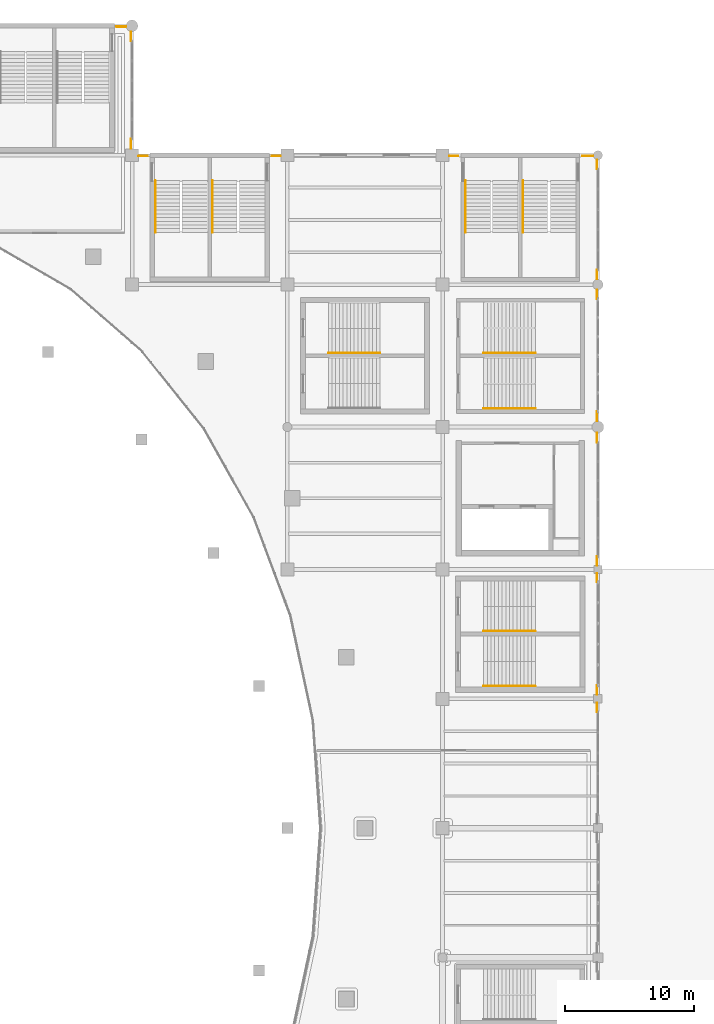
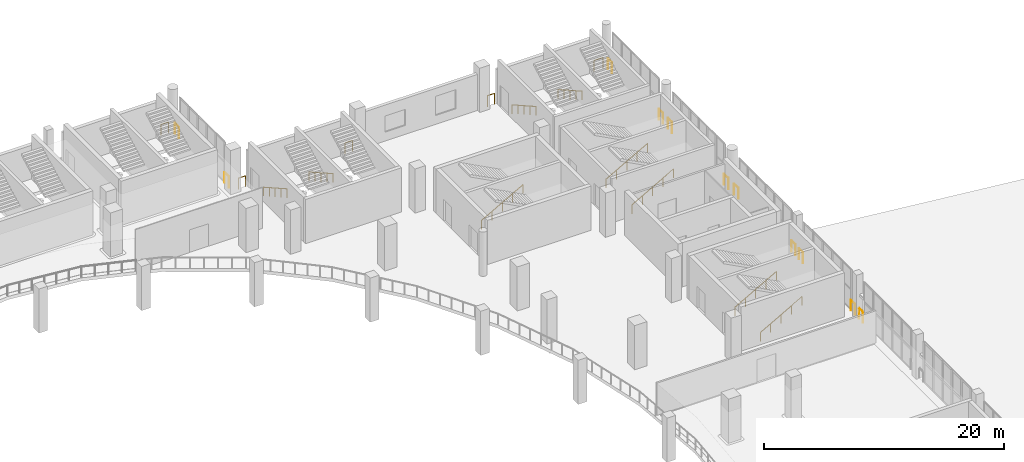
# One storey, part 108 of 108: 25 railings.
"""IFC4 building model written with IfcOpenShell, lengths in metres."""

import ifcopenshell
import ifcopenshell.guid

model = None  # the IFC model being written
_history = None  # IfcOwnerHistory: only IFC2X3 demands one
_inside = {}  # id of a spatial element -> (the spatial element, [elements in it])
_under = {}  # id of a project, library or spatial element -> (it, [spatial elements below it])
_declared = {}  # id of a project -> (the project, [libraries it declares])
_typed = {}  # id of a type object -> (the type object, [elements of that type])
_made_of = {}  # id of a material, layer set ... -> (it, [elements and type objects made of it])


def new_model(schema):
    """Start an empty IFC model of exactly this schema.

    Asked for "IFC4X3", IfcOpenShell would pick the latest addendum, in which some entities
    have other attributes; the version numbers below select the first issue.
    IFC2X3 requires an IfcOwnerHistory on every rooted entity: one is made here for all.
    """
    global model, _history
    if schema == "IFC4X3":
        model = ifcopenshell.file(schema_version=(4, 3, 0, 0))
    else:
        model = ifcopenshell.file(schema=schema)
    _inside.clear()
    _under.clear()
    _declared.clear()
    _typed.clear()
    _made_of.clear()
    _history = None
    if model.schema == "IFC2X3":
        org = make("IfcOrganization", Name="unknown")
        user = make(
            "IfcPersonAndOrganization",
            ThePerson=make("IfcPerson", FamilyName="unknown"),
            TheOrganization=org,
        )
        app = make(
            "IfcApplication",
            ApplicationDeveloper=org,
            Version="unknown",
            ApplicationFullName="unknown",
            ApplicationIdentifier="unknown",
        )
        _history = make(
            "IfcOwnerHistory",
            OwningUser=user,
            OwningApplication=app,
            ChangeAction="ADDED",
            CreationDate=0,
        )
    return model


def make(cls, **values):
    """One entity of the class cls with the attributes given. An attribute that is None is left unset."""
    return model.create_entity(
        cls, **{name: value for name, value in values.items() if value is not None}
    )


def rooted(cls, **values):
    """An entity with a GlobalId (a new one), such as an element, a storey or a relation."""
    return make(cls, GlobalId=ifcopenshell.guid.new(), OwnerHistory=_history, **values)


def si_unit(unit_type, name, prefix=None):
    """IfcSIUnit, for example si_unit("LENGTHUNIT", "METRE", prefix="MILLI")."""
    return make("IfcSIUnit", UnitType=unit_type, Prefix=prefix, Name=name)


def assignment(units):
    """IfcUnitAssignment: the units of a project."""
    return None if units is None else make("IfcUnitAssignment", Units=units)


def point(xyz):
    """IfcCartesianPoint."""
    return None if xyz is None else make("IfcCartesianPoint", Coordinates=xyz)


def direction(xyz):
    """IfcDirection."""
    return None if xyz is None else make("IfcDirection", DirectionRatios=xyz)


def frame(location, z_axis=None, x_axis=None):
    """IfcAxis2Placement3D, a coordinate frame: its origin and axes. An axis left out is left unset."""
    return make(
        "IfcAxis2Placement3D",
        Location=point(location),
        Axis=direction(z_axis),
        RefDirection=direction(x_axis),
    )


def frame_2d(location, x_axis=None):
    """IfcAxis2Placement2D, a coordinate frame in the plane: its origin and x axis."""
    return make(
        "IfcAxis2Placement2D", Location=point(location), RefDirection=direction(x_axis)
    )


def origin():
    """The frame at (0, 0, 0) with its axes left unset."""
    return frame((0.0, 0.0, 0.0))


def origin_2d():
    """The frame at (0, 0) in the plane with its x axis left unset."""
    return frame_2d((0.0, 0.0))


def place(relative_to, where):
    """IfcLocalPlacement: puts the frame where relative to a parent placement (None: the world)."""
    return make(
        "IfcLocalPlacement", PlacementRelTo=relative_to, RelativePlacement=where
    )


def context(
    kind, dimensions, precision=None, world=None, true_north=None, identifier=None
):
    """IfcGeometricRepresentationContext, for example the 3D "Model" context."""
    return make(
        "IfcGeometricRepresentationContext",
        ContextIdentifier=identifier,
        ContextType=kind,
        CoordinateSpaceDimension=dimensions,
        Precision=precision,
        WorldCoordinateSystem=world,
        TrueNorth=true_north,
    )


def subcontext(parent, identifier, kind, view, scale=None):
    """IfcGeometricRepresentationSubContext, for example "Body" below "Model"."""
    return make(
        "IfcGeometricRepresentationSubContext",
        ContextIdentifier=identifier,
        ContextType=kind,
        ParentContext=parent,
        TargetScale=scale,
        TargetView=view,
    )


def project(units=None, contexts=None):
    """IfcProject with its units and contexts."""
    return rooted(
        "IfcProject",
        Name="project",
        RepresentationContexts=contexts,
        UnitsInContext=assignment(units),
    )


def spatial(cls, under=None, at=None, **own):
    """A site, building, storey or space (cls), placed at a placement, below another one or the project."""
    s = rooted(cls, ObjectPlacement=at, **own)
    if under is not None:
        _under.setdefault(under.id(), (under, []))[1].append(s)
    return s


def profile(cls, at=None, kind="AREA", **sizes):
    """A parametric profile (cls). Its sizes go by their IFC names, for example OverallWidth=200.0."""
    return make(cls, ProfileType=kind, Position=at, **sizes)


def circle(**sizes):
    """IfcCircleProfileDef."""
    return profile("IfcCircleProfileDef", **sizes)


def extrude(swept, where, along, depth):
    """IfcExtrudedAreaSolid: the profile swept, set in the frame where, extruded along a direction by depth."""
    return make(
        "IfcExtrudedAreaSolid",
        SweptArea=swept,
        Position=where,
        ExtrudedDirection=direction(along),
        Depth=depth,
    )


def shape(context_of_items, identifier, shape_type, items):
    """IfcShapeRepresentation: the items that make up one representation, for example the "Body"."""
    return make(
        "IfcShapeRepresentation",
        ContextOfItems=context_of_items,
        RepresentationIdentifier=identifier,
        RepresentationType=shape_type,
        Items=items,
    )


def material(Name=None, Category=None):
    """IfcMaterial."""
    return make("IfcMaterial", Name=Name, Category=Category)


def made_of(thing, what):
    """Note that an element or type object is made of a material, layer set ...; save() writes the relation."""
    if what is not None:
        _made_of.setdefault(what.id(), (what, []))[1].append(thing)
    return thing


def type_object(cls, material=None, **own):
    """A type object (cls), such as IfcWallType, which elements share."""
    return made_of(rooted(cls, **own), material)


def element(
    cls,
    number,
    at=None,
    inside=None,
    cuts=None,
    type_object=None,
    material=None,
    context=None,
    identifier="Body",
    shape_type=None,
    held_by="IfcProductDefinitionShape",
    body=None,
    shapes=None,
    **own,
):
    """One element of the class cls, such as IfcWall. Its Tag is "e" and its number.

    at: its placement. inside: the storey or other place that contains it. cuts: it is an
    opening in that element (IfcRelVoidsElement). A single representation is given by context,
    identifier, shape_type and body (its items); several are given by shapes. held_by: the class
    of the entity that holds the representations. save() writes the other relations.
    """
    e = rooted(cls, Tag="e%d" % number, ObjectPlacement=at, **own)
    if body is not None:
        shapes = [shape(context, identifier, shape_type, body)]
    if shapes is not None:
        e.Representation = make(held_by, Representations=shapes)
    if inside is not None:
        _inside.setdefault(inside.id(), (inside, []))[1].append(e)
    if cuts is not None:
        rooted(
            "IfcRelVoidsElement", RelatingBuildingElement=cuts, RelatedOpeningElement=e
        )
    if type_object is not None:
        _typed.setdefault(type_object.id(), (type_object, []))[1].append(e)
    return made_of(e, material)


def aggregate(whole, parts):
    """IfcRelAggregates: a whole, such as a stair, and the parts it consists of."""
    return rooted("IfcRelAggregates", RelatingObject=whole, RelatedObjects=parts)


def save(model, path):
    """Write the relations noted so far, then the file.

    IfcRelAggregates (storeys below a building ...), IfcRelContainedInSpatialStructure (elements
    in a storey), IfcRelDefinesByType, IfcRelAssociatesMaterial and IfcRelDeclares: one each for
    every whole, place, type object, material and project.
    """
    for whole, parts in _under.values():
        aggregate(whole, parts)
    for where, things in _inside.values():
        rooted(
            "IfcRelContainedInSpatialStructure",
            RelatedElements=things,
            RelatingStructure=where,
        )
    for kind, things in _typed.values():
        rooted("IfcRelDefinesByType", RelatedObjects=things, RelatingType=kind)
    for what, things in _made_of.values():
        rooted("IfcRelAssociatesMaterial", RelatedObjects=things, RelatingMaterial=what)
    for by, libraries in _declared.values():
        rooted("IfcRelDeclares", RelatingContext=by, RelatedDefinitions=libraries)
    model.write(path)


model = new_model("IFC4")

# Units and contexts
model_context = context("Model", 3, precision=1e-05, world=origin(), true_north=direction((0.0, 1.0)))
body_context = subcontext(model_context, "Body", "Model", "MODEL_VIEW")
ifc_project = project(units=[si_unit("LENGTHUNIT", "METRE"), si_unit("AREAUNIT", "SQUARE_METRE"), si_unit("VOLUMEUNIT", "CUBIC_METRE"), si_unit("PLANEANGLEUNIT", "RADIAN"), si_unit("MASSUNIT", "GRAM", prefix="KILO")], contexts=[model_context])

# Site, building, storey
site_placement = place(None, origin())
site = spatial("IfcSite", under=ifc_project, at=site_placement, CompositionType="ELEMENT")
building_placement = place(site_placement, origin())
building = spatial("IfcBuilding", under=site, at=building_placement, Name="Brinegate Civic Arena", CompositionType="ELEMENT")
storey_placement = place(building_placement, frame((0.0, 0.0, 10.199951171875)))
storey = spatial("IfcBuildingStorey", under=building, at=storey_placement, Name="L02", CompositionType="ELEMENT", Elevation=10.199951171875)

# Railings
ifc_material = material(Name="Architectural stainless steel balustrade", Category="steel")
railing_type_1 = type_object("IfcRailingType", Name="RAIL-STAIR-HANDRAIL-900", PredefinedType="HANDRAIL", material=ifc_material)
for number, where, name in (
    (1, (157.77490234375, 108.0400390625, 2.25), "Stair Pitch Handrail ST-05A L02"),
    (2, (162.22509765625, 108.0400390625, 2.25), "Stair Pitch Handrail ST-05B L02"),
):
    element("IfcRailing", number, at=place(storey_placement, frame(where)), inside=storey, type_object=railing_type_1, Name=name, PredefinedType="HANDRAIL", context=body_context, shape_type="SweptSolid", body=[
        extrude(circle(Radius=0.02392578125, at=origin_2d()), frame((0.0, 0.001220703125, 0.875), z_axis=(0.0, 0.871049806155, -0.491194701923), x_axis=(-1.0, 0.0, 0.0)), (0.0, 0.0, 1.0), 4.57763671875),
        extrude(circle(Radius=0.02099609375, at=origin_2d()), origin(), (0.0, 0.0, 1.0), 0.849853515625),
        extrude(circle(Radius=0.02099609375, at=origin_2d()), frame((0.0, 0.99755859375, -0.5625)), (0.0, 0.0, 1.0), 0.849853515625),
        extrude(circle(Radius=0.02099609375, at=origin_2d()), frame((0.0, 1.9951171875, -1.125)), (0.0, 0.0, 1.0), 0.849853515625),
        extrude(circle(Radius=0.02099609375, at=origin_2d()), frame((0.0, 2.992431640625, -1.6875)), (0.0, 0.0, 1.0), 0.849853515625),
        extrude(circle(Radius=0.02099609375, at=origin_2d()), frame((0.0, 3.989990234375, -2.25)), (0.0, 0.0, 1.0), 0.849853515625),
    ])
for number, where, name in (
    (3, (159.169921875, 72.97509765625, 0.0), "Stair Pitch Handrail ST-09A L02"),
    (4, (159.169921875, 77.22509765625, 0.0), "Stair Pitch Handrail ST-09B L02"),
):
    element("IfcRailing", number, at=place(storey_placement, frame(where)), inside=storey, type_object=railing_type_1, Name=name, PredefinedType="HANDRAIL", context=body_context, shape_type="SweptSolid", body=[
        extrude(circle(Radius=0.02392578125, at=origin_2d()), frame((0.001220703125, 0.0, 0.876708984375), z_axis=(0.871049806155, 0.0, 0.491194701923), x_axis=(0.0, 1.0, 0.0)), (0.0, 0.0, 1.0), 4.57763671875),
        extrude(circle(Radius=0.02099609375, at=origin_2d()), origin(), (0.0, 0.0, 1.0), 0.849853515625),
        extrude(circle(Radius=0.02099609375, at=origin_2d()), frame((0.99755859375, 0.0, 0.5625)), (0.0, 0.0, 1.0), 0.849853515625),
        extrude(circle(Radius=0.02099609375, at=origin_2d()), frame((1.9951171875, 0.0, 1.125)), (0.0, 0.0, 1.0), 0.849853515625),
        extrude(circle(Radius=0.02099609375, at=origin_2d()), frame((2.992431640625, 0.0, 1.6875)), (0.0, 0.0, 1.0), 0.849853515625),
        extrude(circle(Radius=0.02099609375, at=origin_2d()), frame((3.989990234375, 0.0, 2.25)), (0.0, 0.0, 1.0), 0.849853515625),
    ])
for number, where, name in (
    (5, (133.804931640625, 108.0400390625, 2.25), "Stair Pitch Handrail ST-13A L02"),
    (6, (138.22509765625, 108.0400390625, 2.25), "Stair Pitch Handrail ST-13B L02"),
):
    element("IfcRailing", number, at=place(storey_placement, frame(where)), inside=storey, type_object=railing_type_1, Name=name, PredefinedType="HANDRAIL", context=body_context, shape_type="SweptSolid", body=[
        extrude(circle(Radius=0.02392578125, at=origin_2d()), frame((0.0, 0.001220703125, 0.875), z_axis=(0.0, 0.871049806155, -0.491194701923), x_axis=(-1.0, 0.0, 0.0)), (0.0, 0.0, 1.0), 4.57763671875),
        extrude(circle(Radius=0.02099609375, at=origin_2d()), origin(), (0.0, 0.0, 1.0), 0.849853515625),
        extrude(circle(Radius=0.02099609375, at=origin_2d()), frame((0.0, 0.99755859375, -0.5625)), (0.0, 0.0, 1.0), 0.849853515625),
        extrude(circle(Radius=0.02099609375, at=origin_2d()), frame((0.0, 1.9951171875, -1.125)), (0.0, 0.0, 1.0), 0.849853515625),
        extrude(circle(Radius=0.02099609375, at=origin_2d()), frame((0.0, 2.992431640625, -1.6875)), (0.0, 0.0, 1.0), 0.849853515625),
        extrude(circle(Radius=0.02099609375, at=origin_2d()), frame((0.0, 3.989990234375, -2.25)), (0.0, 0.0, 1.0), 0.849853515625),
    ])
for number, where, name in (
    (7, (147.169921875, 98.72509765625, 0.0), "Stair Pitch Handrail ST-18B L02"),
    (8, (159.169921875, 94.425048828125, 0.0), "Stair Pitch Handrail ST-20A L02"),
    (9, (159.169921875, 98.72509765625, 0.0), "Stair Pitch Handrail ST-20B L02"),
):
    element("IfcRailing", number, at=place(storey_placement, frame(where)), inside=storey, type_object=railing_type_1, Name=name, PredefinedType="HANDRAIL", context=body_context, shape_type="SweptSolid", body=[
        extrude(circle(Radius=0.02392578125, at=origin_2d()), frame((0.001220703125, 0.0, 0.876708984375), z_axis=(0.871049806155, 0.0, 0.491194701923), x_axis=(0.0, 1.0, 0.0)), (0.0, 0.0, 1.0), 4.57763671875),
        extrude(circle(Radius=0.02099609375, at=origin_2d()), origin(), (0.0, 0.0, 1.0), 0.849853515625),
        extrude(circle(Radius=0.02099609375, at=origin_2d()), frame((0.99755859375, 0.0, 0.5625)), (0.0, 0.0, 1.0), 0.849853515625),
        extrude(circle(Radius=0.02099609375, at=origin_2d()), frame((1.9951171875, 0.0, 1.125)), (0.0, 0.0, 1.0), 0.849853515625),
        extrude(circle(Radius=0.02099609375, at=origin_2d()), frame((2.992431640625, 0.0, 1.6875)), (0.0, 0.0, 1.0), 0.849853515625),
        extrude(circle(Radius=0.02099609375, at=origin_2d()), frame((3.989990234375, 0.0, 2.25)), (0.0, 0.0, 1.0), 0.849853515625),
    ])
railing_type_2 = type_object("IfcRailingType", Name="RAIL-VOID-BALUSTRADE-1120", PredefinedType="BALUSTRADE", material=ifc_material)
railing_1_placement = place(storey_placement, frame((130.800048828125, 123.929931640625, 0.0)))
element("IfcRailing", 10, at=railing_1_placement, inside=storey, type_object=railing_type_2, Name="Deck Edge Balustrade L02-150", PredefinedType="BALUSTRADE", context=body_context, shape_type="SweptSolid", body=[
    extrude(circle(Radius=0.02392578125, at=origin_2d()), frame((0.00146484375, 0.0, 1.09619140625), z_axis=(1.0, 0.0, 0.0), x_axis=(0.0, 1.0, 0.0)), (0.0, 0.0, 1.0), 0.72705078125),
    extrude(circle(Radius=0.02099609375, at=origin_2d()), origin(), (0.0, 0.0, 1.0), 1.070068359375),
    extrude(circle(Radius=0.02099609375, at=origin_2d()), frame((0.72998046875, 0.0, 0.0)), (0.0, 0.0, 1.0), 1.070068359375),
])
railing_2_placement = place(storey_placement, frame((131.929931640625, 123.530029296875, 0.0)))
element("IfcRailing", 11, at=railing_2_placement, inside=storey, type_object=railing_type_2, Name="Deck Edge Balustrade L02-151", PredefinedType="BALUSTRADE", context=body_context, shape_type="SweptSolid", body=[
    extrude(circle(Radius=0.02392578125, at=origin_2d()), frame((0.0, -0.00146484375, 1.09619140625), z_axis=(0.0, -1.0, 0.0), x_axis=(1.0, 0.0, 0.0)), (0.0, 0.0, 1.0), 0.713134765625),
    extrude(circle(Radius=0.02099609375, at=origin_2d()), origin(), (0.0, 0.0, 1.0), 1.070068359375),
    extrude(circle(Radius=0.02099609375, at=origin_2d()), frame((0.0, -0.716064453125, 0.0)), (0.0, 0.0, 1.0), 1.070068359375),
])
railing_3_placement = place(storey_placement, frame((131.929931640625, 115.257080078125, 0.0)))
element("IfcRailing", 12, at=railing_3_placement, inside=storey, type_object=railing_type_2, Name="Deck Edge Balustrade L02-152", PredefinedType="BALUSTRADE", context=body_context, shape_type="SweptSolid", body=[
    extrude(circle(Radius=0.02392578125, at=origin_2d()), frame((0.0, -0.00146484375, 1.09619140625), z_axis=(0.0, -1.0, 0.0), x_axis=(1.0, 0.0, 0.0)), (0.0, 0.0, 1.0), 0.734130859375),
    extrude(circle(Radius=0.02099609375, at=origin_2d()), origin(), (0.0, 0.0, 1.0), 1.070068359375),
    extrude(circle(Radius=0.02099609375, at=origin_2d()), frame((0.0, -0.737060546875, 0.0)), (0.0, 0.0, 1.0), 1.070068359375),
])
for number, where, name in (
    (13, (132.52001953125, 113.929931640625, 0.0), "Deck Edge Balustrade L02-153"),
    (14, (142.800048828125, 113.929931640625, 0.0), "Deck Edge Balustrade L02-154"),
    (15, (156.52001953125, 113.929931640625, 0.0), "Deck Edge Balustrade L02-155"),
):
    element("IfcRailing", number, at=place(storey_placement, frame(where)), inside=storey, type_object=railing_type_2, Name=name, PredefinedType="BALUSTRADE", context=body_context, shape_type="SweptSolid", body=[
        extrude(circle(Radius=0.02392578125, at=origin_2d()), frame((0.00146484375, 0.0, 1.09619140625), z_axis=(1.0, 0.0, 0.0), x_axis=(0.0, 1.0, 0.0)), (0.0, 0.0, 1.0), 0.677001953125),
        extrude(circle(Radius=0.02099609375, at=origin_2d()), origin(), (0.0, 0.0, 1.0), 1.070068359375),
        extrude(circle(Radius=0.02099609375, at=origin_2d()), frame((0.679931640625, 0.0, 0.0)), (0.0, 0.0, 1.0), 1.070068359375),
    ])
railing_4_placement = place(storey_placement, frame((166.800048828125, 113.929931640625, 0.0)))
element("IfcRailing", 16, at=railing_4_placement, inside=storey, type_object=railing_type_2, Name="Deck Edge Balustrade L02-156", PredefinedType="BALUSTRADE", context=body_context, shape_type="SweptSolid", body=[
    extrude(circle(Radius=0.02392578125, at=origin_2d()), frame((0.00146484375, 0.0, 1.09619140625), z_axis=(1.0, 0.0, 0.0), x_axis=(0.0, 1.0, 0.0)), (0.0, 0.0, 1.0), 0.826904296875),
    extrude(circle(Radius=0.02099609375, at=origin_2d()), origin(), (0.0, 0.0, 1.0), 1.070068359375),
    extrude(circle(Radius=0.02099609375, at=origin_2d()), frame((0.829833984375, 0.0, 0.0)), (0.0, 0.0, 1.0), 1.070068359375),
])
railing_5_placement = place(storey_placement, frame((167.929931640625, 113.6298828125, 0.0)))
element("IfcRailing", 17, at=railing_5_placement, inside=storey, type_object=railing_type_2, Name="Deck Edge Balustrade L02-157", PredefinedType="BALUSTRADE", context=body_context, shape_type="SweptSolid", body=[
    extrude(circle(Radius=0.02392578125, at=origin_2d()), frame((0.0, -0.00146484375, 1.09619140625), z_axis=(0.0, -1.0, 0.0), x_axis=(1.0, 0.0, 0.0)), (0.0, 0.0, 1.0), 0.671875),
    extrude(circle(Radius=0.02099609375, at=origin_2d()), origin(), (0.0, 0.0, 1.0), 1.070068359375),
    extrude(circle(Radius=0.02099609375, at=origin_2d()), frame((0.0, -0.6748046875, 0.0)), (0.0, 0.0, 1.0), 1.070068359375),
])
for number, where, name in (
    (18, (167.929931640625, 105.115966796875, 0.0), "Deck Edge Balustrade L02-158"),
    (19, (167.929931640625, 103.580078125, 0.0), "Deck Edge Balustrade L02-159"),
):
    element("IfcRailing", number, at=place(storey_placement, frame(where)), inside=storey, type_object=railing_type_2, Name=name, PredefinedType="BALUSTRADE", context=body_context, shape_type="SweptSolid", body=[
        extrude(circle(Radius=0.02392578125, at=origin_2d()), frame((0.0, -0.00146484375, 1.09619140625), z_axis=(0.0, -1.0, 0.0), x_axis=(1.0, 0.0, 0.0)), (0.0, 0.0, 1.0), 0.693115234375),
        extrude(circle(Radius=0.02099609375, at=origin_2d()), origin(), (0.0, 0.0, 1.0), 1.070068359375),
        extrude(circle(Radius=0.02099609375, at=origin_2d()), frame((0.0, -0.696044921875, 0.0)), (0.0, 0.0, 1.0), 1.070068359375),
    ])
for number, where, name in (
    (20, (167.929931640625, 94.18603515625, 0.0), "Deck Edge Balustrade L02-160"),
    (21, (167.929931640625, 92.530029296875, 0.0), "Deck Edge Balustrade L02-161"),
):
    element("IfcRailing", number, at=place(storey_placement, frame(where)), inside=storey, type_object=railing_type_2, Name=name, PredefinedType="BALUSTRADE", context=body_context, shape_type="SweptSolid", body=[
        extrude(circle(Radius=0.02392578125, at=origin_2d()), frame((0.0, -0.00146484375, 1.09619140625), z_axis=(0.0, -1.0, 0.0), x_axis=(1.0, 0.0, 0.0)), (0.0, 0.0, 1.0), 0.713134765625),
        extrude(circle(Radius=0.02099609375, at=origin_2d()), origin(), (0.0, 0.0, 1.0), 1.070068359375),
        extrude(circle(Radius=0.02099609375, at=origin_2d()), frame((0.0, -0.716064453125, 0.0)), (0.0, 0.0, 1.0), 1.070068359375),
    ])
for number, where, name in (
    (22, (167.929931640625, 82.97412109375, 0.0), "Deck Edge Balustrade L02-162"),
    (23, (167.929931640625, 81.679931640625, 0.0), "Deck Edge Balustrade L02-163"),
):
    element("IfcRailing", number, at=place(storey_placement, frame(where)), inside=storey, type_object=railing_type_2, Name=name, PredefinedType="BALUSTRADE", context=body_context, shape_type="SweptSolid", body=[
        extrude(circle(Radius=0.02392578125, at=origin_2d()), frame((0.0, -0.00146484375, 1.09619140625), z_axis=(0.0, -1.0, 0.0), x_axis=(1.0, 0.0, 0.0)), (0.0, 0.0, 1.0), 0.651123046875),
        extrude(circle(Radius=0.02099609375, at=origin_2d()), origin(), (0.0, 0.0, 1.0), 1.070068359375),
        extrude(circle(Radius=0.02099609375, at=origin_2d()), frame((0.0, -0.654052734375, 0.0)), (0.0, 0.0, 1.0), 1.070068359375),
    ])
for number, where, name in (
    (24, (167.929931640625, 73.010009765625, 0.0), "Deck Edge Balustrade L02-164"),
    (25, (167.929931640625, 71.655029296875, 0.0), "Deck Edge Balustrade L02-165"),
):
    element("IfcRailing", number, at=place(storey_placement, frame(where)), inside=storey, type_object=railing_type_2, Name=name, PredefinedType="BALUSTRADE", context=body_context, shape_type="SweptSolid", body=[
        extrude(circle(Radius=0.02392578125, at=origin_2d()), frame((0.0, -0.00146484375, 1.09619140625), z_axis=(0.0, -1.0, 0.0), x_axis=(1.0, 0.0, 0.0)), (0.0, 0.0, 1.0), 0.662109375),
        extrude(circle(Radius=0.02099609375, at=origin_2d()), origin(), (0.0, 0.0, 1.0), 1.070068359375),
        extrude(circle(Radius=0.02099609375, at=origin_2d()), frame((0.0, -0.6650390625, 0.0)), (0.0, 0.0, 1.0), 1.070068359375),
    ])

save(model, "model.ifc")
